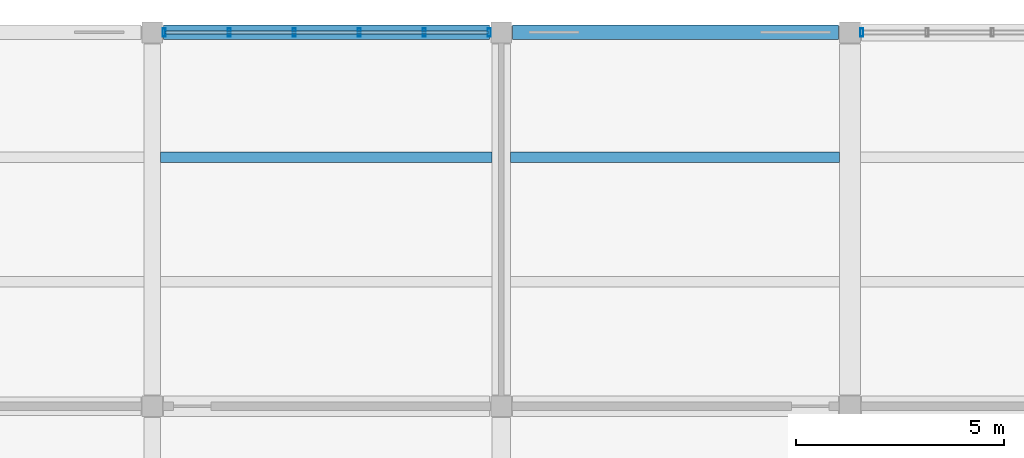
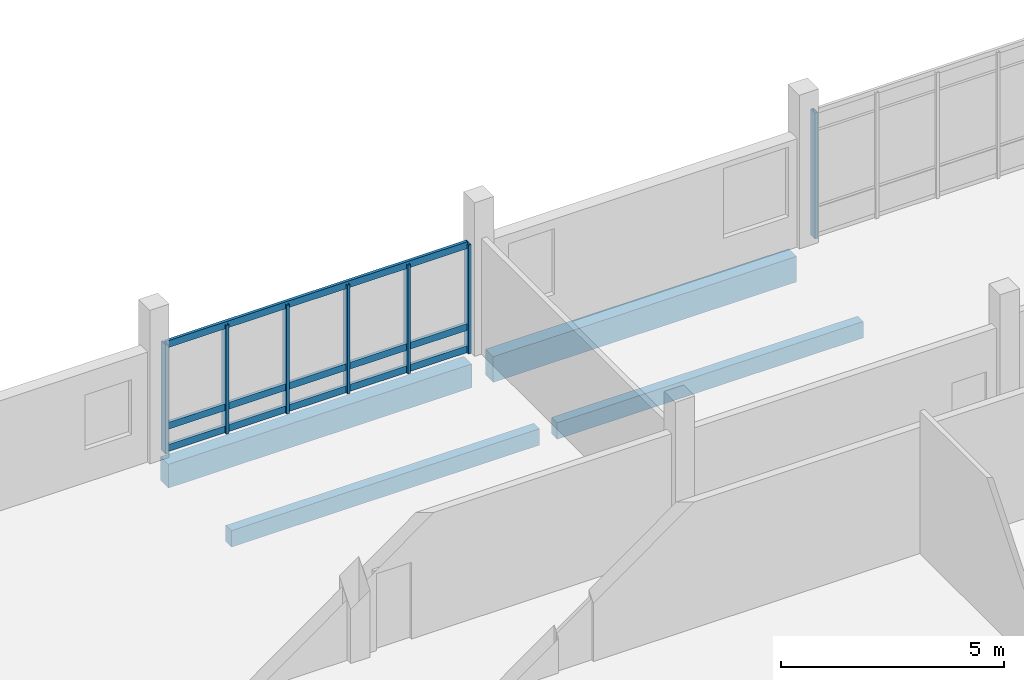
# One storey, part 58 of 107: 10 members, 4 beams, 2 elements without a shape of their own.
"""IFC4 building model written with IfcOpenShell, lengths in metres."""

from ifc_helpers import new_model, si_unit, direction, frame, origin, origin_2d, place, context, subcontext, project, spatial, rectangle, hollow_rectangle, extrude, material, layer, layer_set, material_profile, profile_set, type_object, element, aggregate, save


model = new_model("IFC4")

# Units and contexts
model_context = context("Model", 3, precision=1e-05, world=origin(), true_north=direction((0.0, 1.0)))
body_context = subcontext(model_context, "Body", "Model", "MODEL_VIEW")
ifc_project = project(units=[si_unit("LENGTHUNIT", "METRE"), si_unit("AREAUNIT", "SQUARE_METRE"), si_unit("VOLUMEUNIT", "CUBIC_METRE"), si_unit("PLANEANGLEUNIT", "RADIAN"), si_unit("MASSUNIT", "GRAM", prefix="KILO")], contexts=[model_context])

# Site, building, storey
site_placement = place(None, origin())
site = spatial("IfcSite", under=ifc_project, at=site_placement, CompositionType="ELEMENT")
building_placement = place(site_placement, origin())
building = spatial("IfcBuilding", under=site, at=building_placement, Name="Vireocrest Preparatory School", CompositionType="ELEMENT")
storey_placement = place(building_placement, frame((0.0, 0.0, 13.199951171875)))
storey = spatial("IfcBuildingStorey", under=building, at=storey_placement, Name="L03", CompositionType="ELEMENT", Elevation=13.199951171875)

# Curtain wall, members
ifc_material_1 = material(Name="Thermally broken aluminium EN AW-6063-T6", Category="aluminium")
ifc_layer = layer(ifc_material_1, 0.179931640625)
ifc_layer_set = layer_set([ifc_layer], Name="Thermally broken aluminium EN AW-6063-T6")
curtain_wall_type = type_object("IfcCurtainWallType", Name="North Street Curtain Wall 8400x4000", PredefinedType="USERDEFINED", material=ifc_layer_set)
curtain_wall_1_placement = place(storey_placement, origin())
curtain_wall_1 = element("IfcCurtainWall", 1, at=curtain_wall_1_placement, inside=storey, type_object=curtain_wall_type, Name="Curtain Wall CW05 CW_L03_CW05_0674_1128_132", ObjectType="CURTAIN WALL", PredefinedType="USERDEFINED")
ifc_material_profile_1 = material_profile(ifc_material_1, hollow_rectangle(XDim=0.074951171875, YDim=0.199951171875, WallThickness=0.0048828125, at=origin_2d()), Name="ALU 75x200x5")
ifc_profile_set_1 = profile_set([ifc_material_profile_1], Name="Thermally broken aluminium EN AW-6063-T6")
member_type_1 = type_object("IfcMemberType", Name="CW Mullion 75x200x5", PredefinedType="MULLION", material=ifc_profile_set_1)
member_1_placement = place(storey_placement, frame((67.485107421875, 112.800048828125, 0.0), z_axis=(0.0, 0.0, 1.0), x_axis=(1.0, 0.0, 0.0)))
member_1 = element("IfcMember", 2, at=member_1_placement, type_object=member_type_1, Name="CW Mullion ML3 CW_L03_CW05_0674_1128_132-1", PredefinedType="MULLION", context=body_context, shape_type="SweptSolid", body=[
    extrude(hollow_rectangle(XDim=0.074951171875, YDim=0.199951171875, WallThickness=0.0048828125, at=origin_2d()), origin(), (0.0, 0.0, 1.0), 2.97509765625),
])
member_2_placement = place(storey_placement, frame((69.051025390625, 112.800048828125, 0.0), z_axis=(0.0, 0.0, 1.0), x_axis=(1.0, 0.0, 0.0)))
member_2 = element("IfcMember", 3, at=member_2_placement, type_object=member_type_1, Name="CW Mullion ML3 CW_L03_CW05_0674_1128_132-2", PredefinedType="MULLION", context=body_context, shape_type="SweptSolid", body=[
    extrude(hollow_rectangle(XDim=0.074951171875, YDim=0.199951171875, WallThickness=0.0048828125, at=origin_2d()), origin(), (0.0, 0.0, 1.0), 2.97509765625),
])
member_3_placement = place(storey_placement, frame((70.616943359375, 112.800048828125, 0.0), z_axis=(0.0, 0.0, 1.0), x_axis=(1.0, 0.0, 0.0)))
member_3 = element("IfcMember", 4, at=member_3_placement, type_object=member_type_1, Name="CW Mullion ML3 CW_L03_CW05_0674_1128_132-3", PredefinedType="MULLION", context=body_context, shape_type="SweptSolid", body=[
    extrude(hollow_rectangle(XDim=0.074951171875, YDim=0.199951171875, WallThickness=0.0048828125, at=origin_2d()), origin(), (0.0, 0.0, 1.0), 2.97509765625),
])
member_4_placement = place(storey_placement, frame((72.18310546875, 112.800048828125, 0.0), z_axis=(0.0, 0.0, 1.0), x_axis=(1.0, 0.0, 0.0)))
member_4 = element("IfcMember", 5, at=member_4_placement, type_object=member_type_1, Name="CW Mullion ML3 CW_L03_CW05_0674_1128_132-4", PredefinedType="MULLION", context=body_context, shape_type="SweptSolid", body=[
    extrude(hollow_rectangle(XDim=0.074951171875, YDim=0.199951171875, WallThickness=0.0048828125, at=origin_2d()), origin(), (0.0, 0.0, 1.0), 2.97509765625),
])
member_5_placement = place(storey_placement, frame((73.7490234375, 112.800048828125, 0.0), z_axis=(0.0, 0.0, 1.0), x_axis=(1.0, 0.0, 0.0)))
member_5 = element("IfcMember", 6, at=member_5_placement, type_object=member_type_1, Name="CW Mullion ML3 CW_L03_CW05_0674_1128_132-5", PredefinedType="MULLION", context=body_context, shape_type="SweptSolid", body=[
    extrude(hollow_rectangle(XDim=0.074951171875, YDim=0.199951171875, WallThickness=0.0048828125, at=origin_2d()), origin(), (0.0, 0.0, 1.0), 2.97509765625),
])
member_6_placement = place(storey_placement, frame((75.31494140625, 112.800048828125, 0.0), z_axis=(0.0, 0.0, 1.0), x_axis=(1.0, 0.0, 0.0)))
member_6 = element("IfcMember", 7, at=member_6_placement, type_object=member_type_1, Name="CW Mullion ML3 CW_L03_CW05_0674_1128_132-6", PredefinedType="MULLION", context=body_context, shape_type="SweptSolid", body=[
    extrude(hollow_rectangle(XDim=0.074951171875, YDim=0.199951171875, WallThickness=0.0048828125, at=origin_2d()), origin(), (0.0, 0.0, 1.0), 2.97509765625),
])

# Curtain wall, member
curtain_wall_2_placement = place(storey_placement, origin())
curtain_wall_2 = element("IfcCurtainWall", 8, at=curtain_wall_2_placement, inside=storey, type_object=curtain_wall_type, Name="Curtain Wall CW05 CW_L03_CW05_0842_1128_132", ObjectType="CURTAIN WALL", PredefinedType="USERDEFINED")
member_7_placement = place(storey_placement, frame((84.284912109375, 112.800048828125, 0.0), z_axis=(0.0, 0.0, 1.0), x_axis=(1.0, 0.0, 0.0)))
member_7 = element("IfcMember", 9, at=member_7_placement, type_object=member_type_1, Name="CW Mullion ML3 CW_L03_CW05_0842_1128_132-1", PredefinedType="MULLION", context=body_context, shape_type="SweptSolid", body=[
    extrude(hollow_rectangle(XDim=0.074951171875, YDim=0.199951171875, WallThickness=0.0048828125, at=origin_2d()), origin(), (0.0, 0.0, 1.0), 3.445068359375),
])
aggregate(curtain_wall_2, [member_7])

# Member
ifc_material_profile_2 = material_profile(ifc_material_1, hollow_rectangle(XDim=0.074951171875, YDim=0.18994140625, WallThickness=0.00390625, at=origin_2d()), Name="ALU 75x190x4")
ifc_profile_set_2 = profile_set([ifc_material_profile_2], Name="Thermally broken aluminium EN AW-6063-T6")
member_type_2 = type_object("IfcMemberType", Name="CW Transom 75x190x4", PredefinedType="USERDEFINED", material=ifc_profile_set_2)
member_8_placement = place(storey_placement, frame((67.510009765625, 112.800048828125, 0.094970703125), z_axis=(1.0, 0.0, 0.0), x_axis=(0.0, 1.0, 0.0)))
member_8 = element("IfcMember", 10, at=member_8_placement, type_object=member_type_2, Name="CW Transom TR3 CW_L03_CW05_0674_1128_132-1", ObjectType="TRANSOM", PredefinedType="USERDEFINED", context=body_context, shape_type="SweptSolid", body=[
    extrude(hollow_rectangle(XDim=0.074951171875, YDim=0.18994140625, WallThickness=0.00390625, at=origin_2d()), origin(), (0.0, 0.0, 1.0), 7.780029296875),
])

member_9_placement = place(storey_placement, frame((67.510009765625, 112.800048828125, 0.699951171875), z_axis=(1.0, 0.0, 0.0), x_axis=(0.0, 1.0, 0.0)))
member_9 = element("IfcMember", 11, at=member_9_placement, type_object=member_type_2, Name="CW Transom TR3 CW_L03_CW05_0674_1128_132-2", ObjectType="TRANSOM", PredefinedType="USERDEFINED", context=body_context, shape_type="SweptSolid", body=[
    extrude(hollow_rectangle(XDim=0.074951171875, YDim=0.18994140625, WallThickness=0.00390625, at=origin_2d()), origin(), (0.0, 0.0, 1.0), 7.780029296875),
])

member_10_placement = place(storey_placement, frame((67.510009765625, 112.800048828125, 2.93505859375), z_axis=(1.0, 0.0, 0.0), x_axis=(0.0, 1.0, 0.0)))
member_10 = element("IfcMember", 12, at=member_10_placement, type_object=member_type_2, Name="CW Transom TR3 CW_L03_CW05_0674_1128_132-3", ObjectType="TRANSOM", PredefinedType="USERDEFINED", context=body_context, shape_type="SweptSolid", body=[
    extrude(hollow_rectangle(XDim=0.074951171875, YDim=0.18994140625, WallThickness=0.00390625, at=origin_2d()), origin(), (0.0, 0.0, 1.0), 7.780029296875),
])

aggregate(curtain_wall_1, [member_1, member_2, member_3, member_4, member_5, member_6, member_8, member_9, member_10])

# Beams
ifc_material_2 = material(Name="Concrete 40 MPa", Category="concrete")
ifc_material_profile_3 = material_profile(ifc_material_2, rectangle(XDim=0.35009765625, YDim=0.64990234375, at=origin_2d()), Name="RC 350x650")
ifc_profile_set_3 = profile_set([ifc_material_profile_3], Name="Concrete 40 MPa")
beam_type_1 = type_object("IfcBeamType", Name="RC Classroom Girder 350x650", PredefinedType="BEAM", material=ifc_profile_set_3)
beam_1_placement = place(storey_placement, frame((67.47509765625, 112.800048828125, -0.56494140625), z_axis=(1.0, 0.0, 0.0), x_axis=(0.0, 1.0, 0.0)))
element("IfcBeam", 13, at=beam_1_placement, inside=storey, type_object=beam_type_1, Name="Primary Girder B05 L03-1101", PredefinedType="BEAM", context=body_context, shape_type="SweptSolid", body=[
    extrude(rectangle(XDim=0.35009765625, YDim=0.64990234375, at=origin_2d()), origin(), (0.0, 0.0, 1.0), 7.849853515625),
])
ifc_material_profile_4 = material_profile(ifc_material_2, rectangle(XDim=0.35009765625, YDim=0.699951171875, at=origin_2d()), Name="RC 350x700")
ifc_profile_set_4 = profile_set([ifc_material_profile_4], Name="Concrete 40 MPa")
beam_type_2 = type_object("IfcBeamType", Name="RC Laboratory Girder 350x700", PredefinedType="BEAM", material=ifc_profile_set_4)
beam_2_placement = place(storey_placement, frame((75.875, 112.800048828125, -0.58984375), z_axis=(1.0, 0.0, 0.0), x_axis=(0.0, 1.0, 0.0)))
element("IfcBeam", 14, at=beam_2_placement, inside=storey, type_object=beam_type_2, Name="Primary Girder B06 L03-1102", PredefinedType="BEAM", context=body_context, shape_type="SweptSolid", body=[
    extrude(rectangle(XDim=0.35009765625, YDim=0.699951171875, at=origin_2d()), origin(), (0.0, 0.0, 1.0), 7.85009765625),
])
ifc_material_profile_5 = material_profile(ifc_material_2, rectangle(XDim=0.25, YDim=0.449951171875, at=origin_2d()), Name="RC 250x450")
ifc_profile_set_5 = profile_set([ifc_material_profile_5], Name="Concrete 40 MPa")
beam_type_3 = type_object("IfcBeamType", Name="RC Secondary Floor Joist 250x450", PredefinedType="JOIST", material=ifc_profile_set_5)
beam_3_placement = place(storey_placement, frame((67.39990234375, 109.800048828125, -0.46484375), z_axis=(1.0, 0.0, 0.0), x_axis=(0.0, 1.0, 0.0)))
element("IfcBeam", 15, at=beam_3_placement, inside=storey, type_object=beam_type_3, Name="Secondary Joist J01 L03-1228", PredefinedType="JOIST", context=body_context, shape_type="SweptSolid", body=[
    extrude(rectangle(XDim=0.25, YDim=0.449951171875, at=origin_2d()), origin(), (0.0, 0.0, 1.0), 7.97509765625),
])
beam_4_placement = place(storey_placement, frame((75.824951171875, 109.800048828125, -0.46484375), z_axis=(1.0, 0.0, 0.0), x_axis=(0.0, 1.0, 0.0)))
element("IfcBeam", 16, at=beam_4_placement, inside=storey, type_object=beam_type_3, Name="Secondary Joist J01 L03-1232", PredefinedType="JOIST", context=body_context, shape_type="SweptSolid", body=[
    extrude(rectangle(XDim=0.25, YDim=0.449951171875, at=origin_2d()), origin(), (0.0, 0.0, 1.0), 7.925048828125),
])

save(model, "model.ifc")
